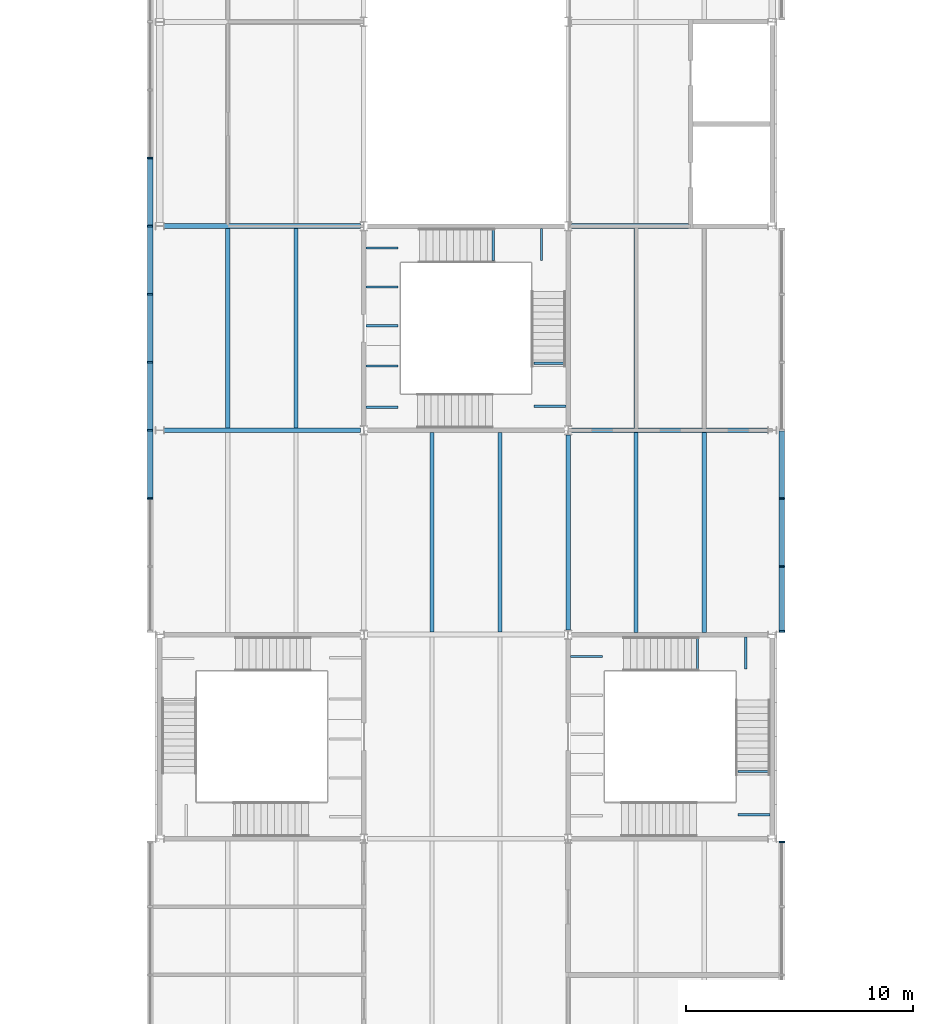
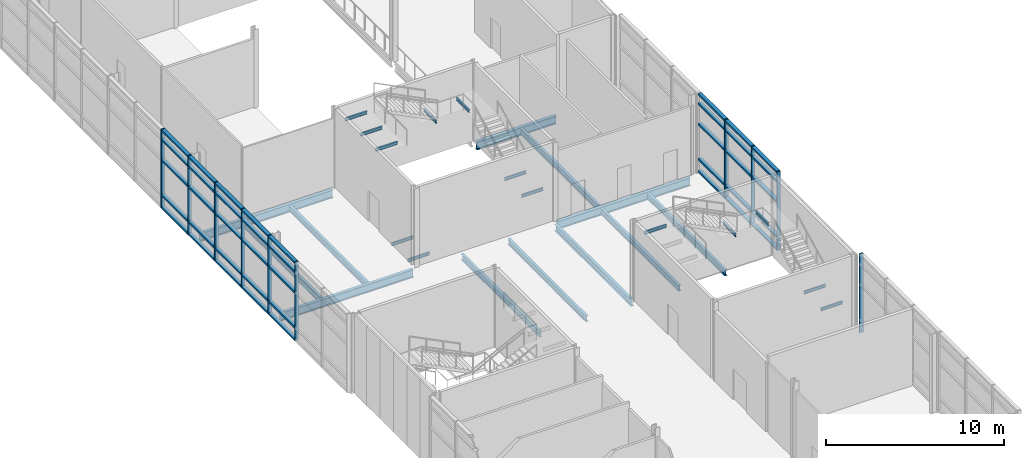
# One storey, part 10 of 56: 50 members, 26 beams, 3 elements without a shape of their own.
"""IFC4 building model written with IfcOpenShell, lengths in metres."""

import ifcopenshell
import ifcopenshell.guid

model = None  # the IFC model being written
_history = None  # IfcOwnerHistory: only IFC2X3 demands one
_inside = {}  # id of a spatial element -> (the spatial element, [elements in it])
_under = {}  # id of a project, library or spatial element -> (it, [spatial elements below it])
_declared = {}  # id of a project -> (the project, [libraries it declares])
_typed = {}  # id of a type object -> (the type object, [elements of that type])
_made_of = {}  # id of a material, layer set ... -> (it, [elements and type objects made of it])


def new_model(schema):
    """Start an empty IFC model of exactly this schema.

    Asked for "IFC4X3", IfcOpenShell would pick the latest addendum, in which some entities
    have other attributes; the version numbers below select the first issue.
    IFC2X3 requires an IfcOwnerHistory on every rooted entity: one is made here for all.
    """
    global model, _history
    if schema == "IFC4X3":
        model = ifcopenshell.file(schema_version=(4, 3, 0, 0))
    else:
        model = ifcopenshell.file(schema=schema)
    _inside.clear()
    _under.clear()
    _declared.clear()
    _typed.clear()
    _made_of.clear()
    _history = None
    if model.schema == "IFC2X3":
        org = make("IfcOrganization", Name="unknown")
        user = make(
            "IfcPersonAndOrganization",
            ThePerson=make("IfcPerson", FamilyName="unknown"),
            TheOrganization=org,
        )
        app = make(
            "IfcApplication",
            ApplicationDeveloper=org,
            Version="unknown",
            ApplicationFullName="unknown",
            ApplicationIdentifier="unknown",
        )
        _history = make(
            "IfcOwnerHistory",
            OwningUser=user,
            OwningApplication=app,
            ChangeAction="ADDED",
            CreationDate=0,
        )
    return model


def make(cls, **values):
    """One entity of the class cls with the attributes given. An attribute that is None is left unset."""
    return model.create_entity(
        cls, **{name: value for name, value in values.items() if value is not None}
    )


def rooted(cls, **values):
    """An entity with a GlobalId (a new one), such as an element, a storey or a relation."""
    return make(cls, GlobalId=ifcopenshell.guid.new(), OwnerHistory=_history, **values)


def si_unit(unit_type, name, prefix=None):
    """IfcSIUnit, for example si_unit("LENGTHUNIT", "METRE", prefix="MILLI")."""
    return make("IfcSIUnit", UnitType=unit_type, Prefix=prefix, Name=name)


def assignment(units):
    """IfcUnitAssignment: the units of a project."""
    return None if units is None else make("IfcUnitAssignment", Units=units)


def point(xyz):
    """IfcCartesianPoint."""
    return None if xyz is None else make("IfcCartesianPoint", Coordinates=xyz)


def direction(xyz):
    """IfcDirection."""
    return None if xyz is None else make("IfcDirection", DirectionRatios=xyz)


def frame(location, z_axis=None, x_axis=None):
    """IfcAxis2Placement3D, a coordinate frame: its origin and axes. An axis left out is left unset."""
    return make(
        "IfcAxis2Placement3D",
        Location=point(location),
        Axis=direction(z_axis),
        RefDirection=direction(x_axis),
    )


def frame_2d(location, x_axis=None):
    """IfcAxis2Placement2D, a coordinate frame in the plane: its origin and x axis."""
    return make(
        "IfcAxis2Placement2D", Location=point(location), RefDirection=direction(x_axis)
    )


def origin():
    """The frame at (0, 0, 0) with its axes left unset."""
    return frame((0.0, 0.0, 0.0))


def origin_2d():
    """The frame at (0, 0) in the plane with its x axis left unset."""
    return frame_2d((0.0, 0.0))


def place(relative_to, where):
    """IfcLocalPlacement: puts the frame where relative to a parent placement (None: the world)."""
    return make(
        "IfcLocalPlacement", PlacementRelTo=relative_to, RelativePlacement=where
    )


def context(
    kind, dimensions, precision=None, world=None, true_north=None, identifier=None
):
    """IfcGeometricRepresentationContext, for example the 3D "Model" context."""
    return make(
        "IfcGeometricRepresentationContext",
        ContextIdentifier=identifier,
        ContextType=kind,
        CoordinateSpaceDimension=dimensions,
        Precision=precision,
        WorldCoordinateSystem=world,
        TrueNorth=true_north,
    )


def subcontext(parent, identifier, kind, view, scale=None):
    """IfcGeometricRepresentationSubContext, for example "Body" below "Model"."""
    return make(
        "IfcGeometricRepresentationSubContext",
        ContextIdentifier=identifier,
        ContextType=kind,
        ParentContext=parent,
        TargetScale=scale,
        TargetView=view,
    )


def project(units=None, contexts=None):
    """IfcProject with its units and contexts."""
    return rooted(
        "IfcProject",
        Name="project",
        RepresentationContexts=contexts,
        UnitsInContext=assignment(units),
    )


def spatial(cls, under=None, at=None, **own):
    """A site, building, storey or space (cls), placed at a placement, below another one or the project."""
    s = rooted(cls, ObjectPlacement=at, **own)
    if under is not None:
        _under.setdefault(under.id(), (under, []))[1].append(s)
    return s


def profile(cls, at=None, kind="AREA", **sizes):
    """A parametric profile (cls). Its sizes go by their IFC names, for example OverallWidth=200.0."""
    return make(cls, ProfileType=kind, Position=at, **sizes)


def rectangle(**sizes):
    """IfcRectangleProfileDef."""
    return profile("IfcRectangleProfileDef", **sizes)


def i_section(**sizes):
    """IfcIShapeProfileDef."""
    return profile("IfcIShapeProfileDef", **sizes)


def extrude(swept, where, along, depth):
    """IfcExtrudedAreaSolid: the profile swept, set in the frame where, extruded along a direction by depth."""
    return make(
        "IfcExtrudedAreaSolid",
        SweptArea=swept,
        Position=where,
        ExtrudedDirection=direction(along),
        Depth=depth,
    )


def shape(context_of_items, identifier, shape_type, items):
    """IfcShapeRepresentation: the items that make up one representation, for example the "Body"."""
    return make(
        "IfcShapeRepresentation",
        ContextOfItems=context_of_items,
        RepresentationIdentifier=identifier,
        RepresentationType=shape_type,
        Items=items,
    )


def material(Name=None, Category=None):
    """IfcMaterial."""
    return make("IfcMaterial", Name=Name, Category=Category)


def material_profile(
    of_material, cross_section, Name=None, Category=None, Priority=None
):
    """IfcMaterialProfile: a cross section and its material."""
    return make(
        "IfcMaterialProfile",
        Name=Name,
        Material=of_material,
        Profile=cross_section,
        Priority=Priority,
        Category=Category,
    )


def profile_set(profiles, Name=None, composite=None):
    """IfcMaterialProfileSet."""
    return make(
        "IfcMaterialProfileSet",
        Name=Name,
        MaterialProfiles=profiles,
        CompositeProfile=composite,
    )


def made_of(thing, what):
    """Note that an element or type object is made of a material, layer set ...; save() writes the relation."""
    if what is not None:
        _made_of.setdefault(what.id(), (what, []))[1].append(thing)
    return thing


def type_object(cls, material=None, **own):
    """A type object (cls), such as IfcWallType, which elements share."""
    return made_of(rooted(cls, **own), material)


def element(
    cls,
    number,
    at=None,
    inside=None,
    cuts=None,
    type_object=None,
    material=None,
    context=None,
    identifier="Body",
    shape_type=None,
    held_by="IfcProductDefinitionShape",
    body=None,
    shapes=None,
    **own,
):
    """One element of the class cls, such as IfcWall. Its Tag is "e" and its number.

    at: its placement. inside: the storey or other place that contains it. cuts: it is an
    opening in that element (IfcRelVoidsElement). A single representation is given by context,
    identifier, shape_type and body (its items); several are given by shapes. held_by: the class
    of the entity that holds the representations. save() writes the other relations.
    """
    e = rooted(cls, Tag="e%d" % number, ObjectPlacement=at, **own)
    if body is not None:
        shapes = [shape(context, identifier, shape_type, body)]
    if shapes is not None:
        e.Representation = make(held_by, Representations=shapes)
    if inside is not None:
        _inside.setdefault(inside.id(), (inside, []))[1].append(e)
    if cuts is not None:
        rooted(
            "IfcRelVoidsElement", RelatingBuildingElement=cuts, RelatedOpeningElement=e
        )
    if type_object is not None:
        _typed.setdefault(type_object.id(), (type_object, []))[1].append(e)
    return made_of(e, material)


def aggregate(whole, parts):
    """IfcRelAggregates: a whole, such as a stair, and the parts it consists of."""
    return rooted("IfcRelAggregates", RelatingObject=whole, RelatedObjects=parts)


def save(model, path):
    """Write the relations noted so far, then the file.

    IfcRelAggregates (storeys below a building ...), IfcRelContainedInSpatialStructure (elements
    in a storey), IfcRelDefinesByType, IfcRelAssociatesMaterial and IfcRelDeclares: one each for
    every whole, place, type object, material and project.
    """
    for whole, parts in _under.values():
        aggregate(whole, parts)
    for where, things in _inside.values():
        rooted(
            "IfcRelContainedInSpatialStructure",
            RelatedElements=things,
            RelatingStructure=where,
        )
    for kind, things in _typed.values():
        rooted("IfcRelDefinesByType", RelatedObjects=things, RelatingType=kind)
    for what, things in _made_of.values():
        rooted("IfcRelAssociatesMaterial", RelatedObjects=things, RelatingMaterial=what)
    for by, libraries in _declared.values():
        rooted("IfcRelDeclares", RelatingContext=by, RelatedDefinitions=libraries)
    model.write(path)


model = new_model("IFC4")

# Units and contexts
model_context = context("Model", 3, precision=1e-05, world=origin(), true_north=direction((0.0, 1.0)))
body_context = subcontext(model_context, "Body", "Model", "MODEL_VIEW")
ifc_project = project(units=[si_unit("LENGTHUNIT", "METRE"), si_unit("AREAUNIT", "SQUARE_METRE"), si_unit("VOLUMEUNIT", "CUBIC_METRE"), si_unit("PLANEANGLEUNIT", "RADIAN"), si_unit("MASSUNIT", "GRAM", prefix="KILO")], contexts=[model_context])

# Site, building, storey
site_placement = place(None, origin())
site = spatial("IfcSite", under=ifc_project, at=site_placement, CompositionType="ELEMENT")
building_placement = place(site_placement, origin())
building = spatial("IfcBuilding", under=site, at=building_placement, Name="Azimuth Sports and Learning Centre", CompositionType="ELEMENT")
storey_placement = place(building_placement, frame((0.0, 0.0, 5.39990234375)))
storey = spatial("IfcBuildingStorey", under=building, at=storey_placement, Name="L01", CompositionType="ELEMENT", Elevation=5.39990234375)

# Beams
ifc_material_1 = material(Name="Steel S355", Category="steel")
ifc_material_profile_1 = material_profile(ifc_material_1, i_section(OverallWidth=0.10009765625, OverallDepth=0.199951171875, WebThickness=0.005615234375, FlangeThickness=0.008544921875, FilletRadius=0.011962890625, at=origin_2d()), Name="IPE 200")
ifc_profile_set_1 = profile_set([ifc_material_profile_1], Name="Steel S355")
beam_type_1 = type_object("IfcBeamType", Name="Beam IPE 200", PredefinedType="BEAM", material=ifc_profile_set_1)
for number, where, z_axis, x_axis, name in (
    (1, (98.89990234375, 28.06005859375, 1.5), (-1.0, 0.0, 0.0), (0.0, -1.0, 0.0), "Landing bracket ST4 L01 1102"),
    (2, (98.89990234375, 29.9599609375, 1.5), (-1.0, 0.0, 0.0), (0.0, -1.0, 0.0), "Landing bracket ST4 L01 1103"),
    (3, (95.702392578125, 35.89990234375, 3.300048828125), (0.0, -1.0, 0.0), (1.0, 0.0, 0.0), "Landing bracket ST4 L01 1104"),
    (4, (97.827392578125, 35.89990234375, 3.300048828125), (0.0, -1.0, 0.0), (1.0, 0.0, 0.0), "Landing bracket ST4 L01 1105"),
    (5, (90.10009765625, 35.033447265625, 5.10009765625), (1.0, 0.0, 0.0), (0.0, 1.0, 0.0), "Landing bracket ST4 L01 1108"),
    (6, (81.10009765625, 46.02001953125, -0.2998046875), (1.0, 0.0, 0.0), (0.0, 1.0, 0.0), "Landing bracket STC L01 1134"),
    (7, (81.10009765625, 47.840087890625, -0.2998046875), (1.0, 0.0, 0.0), (0.0, 1.0, 0.0), "Landing bracket STC L01 1135"),
    (8, (89.89990234375, 46.06005859375, 1.5), (-1.0, 0.0, 0.0), (0.0, -1.0, 0.0), "Landing bracket STC L01 1136"),
    (9, (89.89990234375, 47.9599609375, 1.5), (-1.0, 0.0, 0.0), (0.0, -1.0, 0.0), "Landing bracket STC L01 1137"),
    (10, (86.702392578125, 53.89990234375, 3.300048828125), (0.0, -1.0, 0.0), (1.0, 0.0, 0.0), "Landing bracket STC L01 1138"),
    (11, (88.827392578125, 53.89990234375, 3.300048828125), (0.0, -1.0, 0.0), (1.0, 0.0, 0.0), "Landing bracket STC L01 1139"),
    (12, (81.10009765625, 49.606689453125, 5.10009765625), (1.0, 0.0, 0.0), (0.0, 1.0, 0.0), "Landing bracket STC L01 1140"),
    (13, (81.10009765625, 51.320068359375, 5.10009765625), (1.0, 0.0, 0.0), (0.0, 1.0, 0.0), "Landing bracket STC L01 1141"),
    (14, (81.10009765625, 53.033447265625, 5.10009765625), (1.0, 0.0, 0.0), (0.0, 1.0, 0.0), "Landing bracket STC L01 1142"),
):
    element("IfcBeam", number, at=place(storey_placement, frame(where, z_axis=z_axis, x_axis=x_axis)), inside=storey, type_object=beam_type_1, Name=name, PredefinedType="BEAM", context=body_context, shape_type="SweptSolid", body=[
        extrude(i_section(OverallWidth=0.10009765625, OverallDepth=0.199951171875, WebThickness=0.005615234375, FlangeThickness=0.008544921875, FilletRadius=0.011962890625, at=origin_2d()), origin(), (0.0, 0.0, 1.0), 1.409912109375),
    ])
ifc_material_2 = material(Name="Steel S355", Category="steel")
ifc_material_profile_2 = material_profile(ifc_material_2, i_section(OverallWidth=0.18994140625, OverallDepth=0.449951171875, WebThickness=0.009521484375, FlangeThickness=0.0146484375, FilletRadius=0.02099609375, at=origin_2d()), Name="IPE 450")
ifc_profile_set_2 = profile_set([ifc_material_profile_2], Name="Steel S355")
beam_type_2 = type_object("IfcBeamType", Name="Beam IPE 450", PredefinedType="BEAM", material=ifc_profile_set_2)
beam_1_placement = place(storey_placement, frame((90.0, 36.199951171875, -0.375), z_axis=(0.0, 1.0, 0.0), x_axis=(-1.0, 0.0, 0.0)))
element("IfcBeam", 15, at=beam_1_placement, inside=storey, type_object=beam_type_2, Name="Beam L01 ST 32", PredefinedType="BEAM", context=body_context, shape_type="SweptSolid", body=[
    extrude(i_section(OverallWidth=0.18994140625, OverallDepth=0.449951171875, WebThickness=0.009521484375, FlangeThickness=0.0146484375, FilletRadius=0.02099609375, at=origin_2d()), origin(), (0.0, 0.0, 1.0), 8.60009765625),
])
ifc_material_3 = material(Name="Steel S355", Category="steel")
ifc_material_profile_3 = material_profile(ifc_material_3, i_section(OverallWidth=0.2099609375, OverallDepth=0.550048828125, WebThickness=0.010986328125, FlangeThickness=0.01708984375, FilletRadius=0.02392578125, at=origin_2d()), Name="IPE 550")
ifc_profile_set_3 = profile_set([ifc_material_profile_3], Name="Steel S355")
beam_type_3 = type_object("IfcBeamType", Name="Beam IPE 550", PredefinedType="BEAM", material=ifc_profile_set_3)
for number, where, z_axis, x_axis, name in (
    (16, (72.199951171875, 45.0, -0.4248046875), (1.0, 0.0, 0.0), (0.0, 1.0, 0.0), "Beam L01 ST 7"),
    (17, (90.14990234375, 45.0, -0.4248046875), (1.0, 0.0, 0.0), (0.0, 1.0, 0.0), "Beam L01 ST 8"),
    (18, (72.199951171875, 54.0, -0.4248046875), (1.0, 0.0, 0.0), (0.0, 1.0, 0.0), "Beam L01 ST 9"),
):
    element("IfcBeam", number, at=place(storey_placement, frame(where, z_axis=z_axis, x_axis=x_axis)), inside=storey, type_object=beam_type_3, Name=name, PredefinedType="BEAM", context=body_context, shape_type="SweptSolid", body=[
        extrude(i_section(OverallWidth=0.2099609375, OverallDepth=0.550048828125, WebThickness=0.010986328125, FlangeThickness=0.01708984375, FilletRadius=0.02392578125, at=origin_2d()), origin(), (0.0, 0.0, 1.0), 8.650146484375),
    ])
beam_2_placement = place(storey_placement, frame((90.14990234375, 54.0, -0.4248046875), z_axis=(1.0, 0.0, 0.0), x_axis=(0.0, 1.0, 0.0)))
element("IfcBeam", 19, at=beam_2_placement, inside=storey, type_object=beam_type_3, Name="Beam L01 ST 10", PredefinedType="BEAM", context=body_context, shape_type="SweptSolid", body=[
    extrude(i_section(OverallWidth=0.2099609375, OverallDepth=0.550048828125, WebThickness=0.010986328125, FlangeThickness=0.01708984375, FilletRadius=0.02392578125, at=origin_2d()), origin(), (0.0, 0.0, 1.0), 5.150146484375),
])
ifc_material_4 = material(Name="Steel S355", Category="steel")
ifc_material_profile_4 = material_profile(ifc_material_4, i_section(OverallWidth=0.179931640625, OverallDepth=0.39990234375, WebThickness=0.008544921875, FlangeThickness=0.013427734375, FilletRadius=0.02099609375, at=origin_2d()), Name="IPE 400")
ifc_profile_set_4 = profile_set([ifc_material_profile_4], Name="Steel S355")
beam_type_4 = type_object("IfcBeamType", Name="Joist IPE 400", PredefinedType="JOIST", material=ifc_profile_set_4)
for number, where, z_axis, x_axis, name in (
    (20, (75.0, 45.10498046875, -0.349853515625), (0.0, 1.0, 0.0), (-1.0, 0.0, 0.0), "Joist L01 ST 42"),
    (21, (78.0, 45.10498046875, -0.349853515625), (0.0, 1.0, 0.0), (-1.0, 0.0, 0.0), "Joist L01 ST 50"),
):
    element("IfcBeam", number, at=place(storey_placement, frame(where, z_axis=z_axis, x_axis=x_axis)), inside=storey, type_object=beam_type_4, Name=name, PredefinedType="JOIST", context=body_context, shape_type="SweptSolid", body=[
        extrude(i_section(OverallWidth=0.179931640625, OverallDepth=0.39990234375, WebThickness=0.008544921875, FlangeThickness=0.013427734375, FilletRadius=0.02099609375, at=origin_2d()), origin(), (0.0, 0.0, 1.0), 8.7900390625),
    ])
for number, where, z_axis, x_axis, name in (
    (22, (84.0, 36.10498046875, -0.349853515625), (0.0, 1.0, 0.0), (-1.0, 0.0, 0.0), "Joist L01 ST 59"),
    (23, (87.0, 36.10498046875, -0.349853515625), (0.0, 1.0, 0.0), (-1.0, 0.0, 0.0), "Joist L01 ST 65"),
    (24, (93.0, 36.10009765625, -0.349853515625), (0.0, 1.0, 0.0), (-1.0, 0.0, 0.0), "Joist L01 ST 69"),
):
    element("IfcBeam", number, at=place(storey_placement, frame(where, z_axis=z_axis, x_axis=x_axis)), inside=storey, type_object=beam_type_4, Name=name, PredefinedType="JOIST", context=body_context, shape_type="SweptSolid", body=[
        extrude(i_section(OverallWidth=0.179931640625, OverallDepth=0.39990234375, WebThickness=0.008544921875, FlangeThickness=0.013427734375, FilletRadius=0.02099609375, at=origin_2d()), origin(), (0.0, 0.0, 1.0), 8.794921875),
    ])
beam_3_placement = place(storey_placement, frame((93.0, 45.10498046875, -0.349853515625), z_axis=(0.0, 1.0, 0.0), x_axis=(-1.0, 0.0, 0.0)))
element("IfcBeam", 25, at=beam_3_placement, inside=storey, type_object=beam_type_4, Name="Joist L01 ST 70", PredefinedType="JOIST", context=body_context, shape_type="SweptSolid", body=[
    extrude(i_section(OverallWidth=0.179931640625, OverallDepth=0.39990234375, WebThickness=0.008544921875, FlangeThickness=0.013427734375, FilletRadius=0.02099609375, at=origin_2d()), origin(), (0.0, 0.0, 1.0), 8.7900390625),
])
beam_4_placement = place(storey_placement, frame((96.0, 36.10009765625, -0.349853515625), z_axis=(0.0, 1.0, 0.0), x_axis=(-1.0, 0.0, 0.0)))
element("IfcBeam", 26, at=beam_4_placement, inside=storey, type_object=beam_type_4, Name="Joist L01 ST 77", PredefinedType="JOIST", context=body_context, shape_type="SweptSolid", body=[
    extrude(i_section(OverallWidth=0.179931640625, OverallDepth=0.39990234375, WebThickness=0.008544921875, FlangeThickness=0.013427734375, FilletRadius=0.02099609375, at=origin_2d()), origin(), (0.0, 0.0, 1.0), 8.794921875),
])

# Curtain wall, members
ifc_material_5 = material(Name="Aluminium and glass", Category="aluminium")
curtain_wall_type = type_object("IfcCurtainWallType", Name="Curtain wall podium stem 240", PredefinedType="NOTDEFINED", material=ifc_material_5)
curtain_wall_1_placement = place(storey_placement, origin())
curtain_wall_1 = element("IfcCurtainWall", 27, at=curtain_wall_1_placement, inside=storey, type_object=curtain_wall_type, Name="Curtain wall CW01-003", PredefinedType="NOTDEFINED")
ifc_material_6 = material(Name="Aluminium", Category="aluminium")
ifc_material_profile_5 = material_profile(ifc_material_6, rectangle(XDim=0.239990234375, YDim=0.080078125, at=origin_2d()), Name="Mullion 80x240")
ifc_profile_set_5 = profile_set([ifc_material_profile_5], Name="Aluminium")
member_type_1 = type_object("IfcMemberType", Name="Mullion 80x240", PredefinedType="MULLION", material=ifc_profile_set_5)
member_1_placement = place(storey_placement, frame((71.580078125, 57.0, 0.0), z_axis=(0.0, 0.0, 1.0), x_axis=(1.0, 0.0, 0.0)))
member_1 = element("IfcMember", 28, at=member_1_placement, type_object=member_type_1, Name="CW01-003 mullion 12", PredefinedType="MULLION", context=body_context, shape_type="SweptSolid", body=[
    extrude(rectangle(XDim=0.239990234375, YDim=0.080078125, at=origin_2d()), origin(), (0.0, 0.0, 1.0), 5.400146484375),
])
member_2_placement = place(storey_placement, frame((71.580078125, 54.0, 0.0), z_axis=(0.0, 0.0, 1.0), x_axis=(1.0, 0.0, 0.0)))
member_2 = element("IfcMember", 29, at=member_2_placement, type_object=member_type_1, Name="CW01-003 mullion 13", PredefinedType="MULLION", context=body_context, shape_type="SweptSolid", body=[
    extrude(rectangle(XDim=0.239990234375, YDim=0.080078125, at=origin_2d()), origin(), (0.0, 0.0, 1.0), 5.400146484375),
])
member_3_placement = place(storey_placement, frame((71.580078125, 51.0, 0.0), z_axis=(0.0, 0.0, 1.0), x_axis=(1.0, 0.0, 0.0)))
member_3 = element("IfcMember", 30, at=member_3_placement, type_object=member_type_1, Name="CW01-003 mullion 14", PredefinedType="MULLION", context=body_context, shape_type="SweptSolid", body=[
    extrude(rectangle(XDim=0.239990234375, YDim=0.080078125, at=origin_2d()), origin(), (0.0, 0.0, 1.0), 5.400146484375),
])
member_4_placement = place(storey_placement, frame((71.580078125, 48.0, 0.0), z_axis=(0.0, 0.0, 1.0), x_axis=(1.0, 0.0, 0.0)))
member_4 = element("IfcMember", 31, at=member_4_placement, type_object=member_type_1, Name="CW01-003 mullion 15", PredefinedType="MULLION", context=body_context, shape_type="SweptSolid", body=[
    extrude(rectangle(XDim=0.239990234375, YDim=0.080078125, at=origin_2d()), origin(), (0.0, 0.0, 1.0), 5.400146484375),
])
member_5_placement = place(storey_placement, frame((71.580078125, 45.0, 0.0), z_axis=(0.0, 0.0, 1.0), x_axis=(1.0, 0.0, 0.0)))
member_5 = element("IfcMember", 32, at=member_5_placement, type_object=member_type_1, Name="CW01-003 mullion 16", PredefinedType="MULLION", context=body_context, shape_type="SweptSolid", body=[
    extrude(rectangle(XDim=0.239990234375, YDim=0.080078125, at=origin_2d()), origin(), (0.0, 0.0, 1.0), 5.400146484375),
])
member_6_placement = place(storey_placement, frame((71.580078125, 42.0, 0.0), z_axis=(0.0, 0.0, 1.0), x_axis=(1.0, 0.0, 0.0)))
member_6 = element("IfcMember", 33, at=member_6_placement, type_object=member_type_1, Name="CW01-003 mullion 17", PredefinedType="MULLION", context=body_context, shape_type="SweptSolid", body=[
    extrude(rectangle(XDim=0.239990234375, YDim=0.080078125, at=origin_2d()), origin(), (0.0, 0.0, 1.0), 5.400146484375),
])

# Curtain wall, member
curtain_wall_2_placement = place(storey_placement, origin())
curtain_wall_2 = element("IfcCurtainWall", 34, at=curtain_wall_2_placement, inside=storey, type_object=curtain_wall_type, Name="Curtain wall CW01-006", PredefinedType="NOTDEFINED")
member_7_placement = place(storey_placement, frame((99.419921875, 26.860107421875, 0.0), z_axis=(0.0, 0.0, 1.0), x_axis=(-1.0, 0.0, 0.0)))
member_7 = element("IfcMember", 35, at=member_7_placement, type_object=member_type_1, Name="CW01-006 mullion 7", PredefinedType="MULLION", context=body_context, shape_type="SweptSolid", body=[
    extrude(rectangle(XDim=0.239990234375, YDim=0.080078125, at=origin_2d()), origin(), (0.0, 0.0, 1.0), 5.400146484375),
])
aggregate(curtain_wall_2, [member_7])

# Curtain wall, members
curtain_wall_3_placement = place(storey_placement, origin())
curtain_wall_3 = element("IfcCurtainWall", 36, at=curtain_wall_3_placement, inside=storey, type_object=curtain_wall_type, Name="Curtain wall CW01-007", PredefinedType="NOTDEFINED")
member_8_placement = place(storey_placement, frame((99.419921875, 36.139892578125, 0.0), z_axis=(0.0, 0.0, 1.0), x_axis=(-1.0, 0.0, 0.0)))
member_8 = element("IfcMember", 37, at=member_8_placement, type_object=member_type_1, Name="CW01-007 mullion 1", PredefinedType="MULLION", context=body_context, shape_type="SweptSolid", body=[
    extrude(rectangle(XDim=0.239990234375, YDim=0.080078125, at=origin_2d()), origin(), (0.0, 0.0, 1.0), 5.400146484375),
])
member_9_placement = place(storey_placement, frame((99.419921875, 39.0, 0.0), z_axis=(0.0, 0.0, 1.0), x_axis=(-1.0, 0.0, 0.0)))
member_9 = element("IfcMember", 38, at=member_9_placement, type_object=member_type_1, Name="CW01-007 mullion 2", PredefinedType="MULLION", context=body_context, shape_type="SweptSolid", body=[
    extrude(rectangle(XDim=0.239990234375, YDim=0.080078125, at=origin_2d()), origin(), (0.0, 0.0, 1.0), 5.400146484375),
])
member_10_placement = place(storey_placement, frame((99.419921875, 42.0, 0.0), z_axis=(0.0, 0.0, 1.0), x_axis=(-1.0, 0.0, 0.0)))
member_10 = element("IfcMember", 39, at=member_10_placement, type_object=member_type_1, Name="CW01-007 mullion 3", PredefinedType="MULLION", context=body_context, shape_type="SweptSolid", body=[
    extrude(rectangle(XDim=0.239990234375, YDim=0.080078125, at=origin_2d()), origin(), (0.0, 0.0, 1.0), 5.400146484375),
])

# Member
ifc_material_7 = material(Name="Aluminium", Category="aluminium")
ifc_material_profile_6 = material_profile(ifc_material_7, rectangle(XDim=0.239990234375, YDim=0.1201171875, at=origin_2d()), Name="Transom 120x240")
ifc_profile_set_6 = profile_set([ifc_material_profile_6], Name="Aluminium")
member_type_2 = type_object("IfcMemberType", Name="Transom 120x240", PredefinedType="USERDEFINED", material=ifc_profile_set_6)
member_11_placement = place(storey_placement, frame((71.580078125, 56.9599609375, 0.06005859375), z_axis=(0.0, -1.0, 0.0), x_axis=(1.0, 0.0, 0.0)))
member_11 = element("IfcMember", 40, at=member_11_placement, type_object=member_type_2, Name="CW01-003 transom 12.1", ObjectType="TRANSOM", PredefinedType="USERDEFINED", context=body_context, shape_type="SweptSolid", body=[
    extrude(rectangle(XDim=0.239990234375, YDim=0.1201171875, at=origin_2d()), origin(), (0.0, 0.0, 1.0), 2.919921875),
])

member_12_placement = place(storey_placement, frame((71.580078125, 56.9599609375, 0.900146484375), z_axis=(0.0, -1.0, 0.0), x_axis=(1.0, 0.0, 0.0)))
member_12 = element("IfcMember", 41, at=member_12_placement, type_object=member_type_2, Name="CW01-003 transom 12.2", ObjectType="TRANSOM", PredefinedType="USERDEFINED", context=body_context, shape_type="SweptSolid", body=[
    extrude(rectangle(XDim=0.239990234375, YDim=0.1201171875, at=origin_2d()), origin(), (0.0, 0.0, 1.0), 2.919921875),
])

member_13_placement = place(storey_placement, frame((71.580078125, 56.9599609375, 3.300048828125), z_axis=(0.0, -1.0, 0.0), x_axis=(1.0, 0.0, 0.0)))
member_13 = element("IfcMember", 42, at=member_13_placement, type_object=member_type_2, Name="CW01-003 transom 12.3", ObjectType="TRANSOM", PredefinedType="USERDEFINED", context=body_context, shape_type="SweptSolid", body=[
    extrude(rectangle(XDim=0.239990234375, YDim=0.1201171875, at=origin_2d()), origin(), (0.0, 0.0, 1.0), 2.919921875),
])

member_14_placement = place(storey_placement, frame((71.580078125, 56.9599609375, 4.7001953125), z_axis=(0.0, -1.0, 0.0), x_axis=(1.0, 0.0, 0.0)))
member_14 = element("IfcMember", 43, at=member_14_placement, type_object=member_type_2, Name="CW01-003 transom 12.4", ObjectType="TRANSOM", PredefinedType="USERDEFINED", context=body_context, shape_type="SweptSolid", body=[
    extrude(rectangle(XDim=0.239990234375, YDim=0.1201171875, at=origin_2d()), origin(), (0.0, 0.0, 1.0), 2.919921875),
])

member_15_placement = place(storey_placement, frame((71.580078125, 56.9599609375, 5.340087890625), z_axis=(0.0, -1.0, 0.0), x_axis=(1.0, 0.0, 0.0)))
member_15 = element("IfcMember", 44, at=member_15_placement, type_object=member_type_2, Name="CW01-003 transom 12.5", ObjectType="TRANSOM", PredefinedType="USERDEFINED", context=body_context, shape_type="SweptSolid", body=[
    extrude(rectangle(XDim=0.239990234375, YDim=0.1201171875, at=origin_2d()), origin(), (0.0, 0.0, 1.0), 2.919921875),
])

member_16_placement = place(storey_placement, frame((71.580078125, 53.9599609375, 0.06005859375), z_axis=(0.0, -1.0, 0.0), x_axis=(1.0, 0.0, 0.0)))
member_16 = element("IfcMember", 45, at=member_16_placement, type_object=member_type_2, Name="CW01-003 transom 13.1", ObjectType="TRANSOM", PredefinedType="USERDEFINED", context=body_context, shape_type="SweptSolid", body=[
    extrude(rectangle(XDim=0.239990234375, YDim=0.1201171875, at=origin_2d()), origin(), (0.0, 0.0, 1.0), 2.919921875),
])

member_17_placement = place(storey_placement, frame((71.580078125, 53.9599609375, 0.900146484375), z_axis=(0.0, -1.0, 0.0), x_axis=(1.0, 0.0, 0.0)))
member_17 = element("IfcMember", 46, at=member_17_placement, type_object=member_type_2, Name="CW01-003 transom 13.2", ObjectType="TRANSOM", PredefinedType="USERDEFINED", context=body_context, shape_type="SweptSolid", body=[
    extrude(rectangle(XDim=0.239990234375, YDim=0.1201171875, at=origin_2d()), origin(), (0.0, 0.0, 1.0), 2.919921875),
])

member_18_placement = place(storey_placement, frame((71.580078125, 53.9599609375, 3.300048828125), z_axis=(0.0, -1.0, 0.0), x_axis=(1.0, 0.0, 0.0)))
member_18 = element("IfcMember", 47, at=member_18_placement, type_object=member_type_2, Name="CW01-003 transom 13.3", ObjectType="TRANSOM", PredefinedType="USERDEFINED", context=body_context, shape_type="SweptSolid", body=[
    extrude(rectangle(XDim=0.239990234375, YDim=0.1201171875, at=origin_2d()), origin(), (0.0, 0.0, 1.0), 2.919921875),
])

member_19_placement = place(storey_placement, frame((71.580078125, 53.9599609375, 4.7001953125), z_axis=(0.0, -1.0, 0.0), x_axis=(1.0, 0.0, 0.0)))
member_19 = element("IfcMember", 48, at=member_19_placement, type_object=member_type_2, Name="CW01-003 transom 13.4", ObjectType="TRANSOM", PredefinedType="USERDEFINED", context=body_context, shape_type="SweptSolid", body=[
    extrude(rectangle(XDim=0.239990234375, YDim=0.1201171875, at=origin_2d()), origin(), (0.0, 0.0, 1.0), 2.919921875),
])

member_20_placement = place(storey_placement, frame((71.580078125, 53.9599609375, 5.340087890625), z_axis=(0.0, -1.0, 0.0), x_axis=(1.0, 0.0, 0.0)))
member_20 = element("IfcMember", 49, at=member_20_placement, type_object=member_type_2, Name="CW01-003 transom 13.5", ObjectType="TRANSOM", PredefinedType="USERDEFINED", context=body_context, shape_type="SweptSolid", body=[
    extrude(rectangle(XDim=0.239990234375, YDim=0.1201171875, at=origin_2d()), origin(), (0.0, 0.0, 1.0), 2.919921875),
])

member_21_placement = place(storey_placement, frame((71.580078125, 50.9599609375, 0.06005859375), z_axis=(0.0, -1.0, 0.0), x_axis=(1.0, 0.0, 0.0)))
member_21 = element("IfcMember", 50, at=member_21_placement, type_object=member_type_2, Name="CW01-003 transom 14.1", ObjectType="TRANSOM", PredefinedType="USERDEFINED", context=body_context, shape_type="SweptSolid", body=[
    extrude(rectangle(XDim=0.239990234375, YDim=0.1201171875, at=origin_2d()), origin(), (0.0, 0.0, 1.0), 2.919921875),
])

member_22_placement = place(storey_placement, frame((71.580078125, 50.9599609375, 0.900146484375), z_axis=(0.0, -1.0, 0.0), x_axis=(1.0, 0.0, 0.0)))
member_22 = element("IfcMember", 51, at=member_22_placement, type_object=member_type_2, Name="CW01-003 transom 14.2", ObjectType="TRANSOM", PredefinedType="USERDEFINED", context=body_context, shape_type="SweptSolid", body=[
    extrude(rectangle(XDim=0.239990234375, YDim=0.1201171875, at=origin_2d()), origin(), (0.0, 0.0, 1.0), 2.919921875),
])

member_23_placement = place(storey_placement, frame((71.580078125, 50.9599609375, 3.300048828125), z_axis=(0.0, -1.0, 0.0), x_axis=(1.0, 0.0, 0.0)))
member_23 = element("IfcMember", 52, at=member_23_placement, type_object=member_type_2, Name="CW01-003 transom 14.3", ObjectType="TRANSOM", PredefinedType="USERDEFINED", context=body_context, shape_type="SweptSolid", body=[
    extrude(rectangle(XDim=0.239990234375, YDim=0.1201171875, at=origin_2d()), origin(), (0.0, 0.0, 1.0), 2.919921875),
])

member_24_placement = place(storey_placement, frame((71.580078125, 50.9599609375, 4.7001953125), z_axis=(0.0, -1.0, 0.0), x_axis=(1.0, 0.0, 0.0)))
member_24 = element("IfcMember", 53, at=member_24_placement, type_object=member_type_2, Name="CW01-003 transom 14.4", ObjectType="TRANSOM", PredefinedType="USERDEFINED", context=body_context, shape_type="SweptSolid", body=[
    extrude(rectangle(XDim=0.239990234375, YDim=0.1201171875, at=origin_2d()), origin(), (0.0, 0.0, 1.0), 2.919921875),
])

member_25_placement = place(storey_placement, frame((71.580078125, 50.9599609375, 5.340087890625), z_axis=(0.0, -1.0, 0.0), x_axis=(1.0, 0.0, 0.0)))
member_25 = element("IfcMember", 54, at=member_25_placement, type_object=member_type_2, Name="CW01-003 transom 14.5", ObjectType="TRANSOM", PredefinedType="USERDEFINED", context=body_context, shape_type="SweptSolid", body=[
    extrude(rectangle(XDim=0.239990234375, YDim=0.1201171875, at=origin_2d()), origin(), (0.0, 0.0, 1.0), 2.919921875),
])

member_26_placement = place(storey_placement, frame((71.580078125, 47.9599609375, 0.06005859375), z_axis=(0.0, -1.0, 0.0), x_axis=(1.0, 0.0, 0.0)))
member_26 = element("IfcMember", 55, at=member_26_placement, type_object=member_type_2, Name="CW01-003 transom 15.1", ObjectType="TRANSOM", PredefinedType="USERDEFINED", context=body_context, shape_type="SweptSolid", body=[
    extrude(rectangle(XDim=0.239990234375, YDim=0.1201171875, at=origin_2d()), origin(), (0.0, 0.0, 1.0), 2.919921875),
])

member_27_placement = place(storey_placement, frame((71.580078125, 47.9599609375, 0.900146484375), z_axis=(0.0, -1.0, 0.0), x_axis=(1.0, 0.0, 0.0)))
member_27 = element("IfcMember", 56, at=member_27_placement, type_object=member_type_2, Name="CW01-003 transom 15.2", ObjectType="TRANSOM", PredefinedType="USERDEFINED", context=body_context, shape_type="SweptSolid", body=[
    extrude(rectangle(XDim=0.239990234375, YDim=0.1201171875, at=origin_2d()), origin(), (0.0, 0.0, 1.0), 2.919921875),
])

member_28_placement = place(storey_placement, frame((71.580078125, 47.9599609375, 3.300048828125), z_axis=(0.0, -1.0, 0.0), x_axis=(1.0, 0.0, 0.0)))
member_28 = element("IfcMember", 57, at=member_28_placement, type_object=member_type_2, Name="CW01-003 transom 15.3", ObjectType="TRANSOM", PredefinedType="USERDEFINED", context=body_context, shape_type="SweptSolid", body=[
    extrude(rectangle(XDim=0.239990234375, YDim=0.1201171875, at=origin_2d()), origin(), (0.0, 0.0, 1.0), 2.919921875),
])

member_29_placement = place(storey_placement, frame((71.580078125, 47.9599609375, 4.7001953125), z_axis=(0.0, -1.0, 0.0), x_axis=(1.0, 0.0, 0.0)))
member_29 = element("IfcMember", 58, at=member_29_placement, type_object=member_type_2, Name="CW01-003 transom 15.4", ObjectType="TRANSOM", PredefinedType="USERDEFINED", context=body_context, shape_type="SweptSolid", body=[
    extrude(rectangle(XDim=0.239990234375, YDim=0.1201171875, at=origin_2d()), origin(), (0.0, 0.0, 1.0), 2.919921875),
])

member_30_placement = place(storey_placement, frame((71.580078125, 47.9599609375, 5.340087890625), z_axis=(0.0, -1.0, 0.0), x_axis=(1.0, 0.0, 0.0)))
member_30 = element("IfcMember", 59, at=member_30_placement, type_object=member_type_2, Name="CW01-003 transom 15.5", ObjectType="TRANSOM", PredefinedType="USERDEFINED", context=body_context, shape_type="SweptSolid", body=[
    extrude(rectangle(XDim=0.239990234375, YDim=0.1201171875, at=origin_2d()), origin(), (0.0, 0.0, 1.0), 2.919921875),
])

member_31_placement = place(storey_placement, frame((71.580078125, 44.9599609375, 0.06005859375), z_axis=(0.0, -1.0, 0.0), x_axis=(1.0, 0.0, 0.0)))
member_31 = element("IfcMember", 60, at=member_31_placement, type_object=member_type_2, Name="CW01-003 transom 16.1", ObjectType="TRANSOM", PredefinedType="USERDEFINED", context=body_context, shape_type="SweptSolid", body=[
    extrude(rectangle(XDim=0.239990234375, YDim=0.1201171875, at=origin_2d()), origin(), (0.0, 0.0, 1.0), 2.919921875),
])

member_32_placement = place(storey_placement, frame((71.580078125, 44.9599609375, 0.900146484375), z_axis=(0.0, -1.0, 0.0), x_axis=(1.0, 0.0, 0.0)))
member_32 = element("IfcMember", 61, at=member_32_placement, type_object=member_type_2, Name="CW01-003 transom 16.2", ObjectType="TRANSOM", PredefinedType="USERDEFINED", context=body_context, shape_type="SweptSolid", body=[
    extrude(rectangle(XDim=0.239990234375, YDim=0.1201171875, at=origin_2d()), origin(), (0.0, 0.0, 1.0), 2.919921875),
])

member_33_placement = place(storey_placement, frame((71.580078125, 44.9599609375, 3.300048828125), z_axis=(0.0, -1.0, 0.0), x_axis=(1.0, 0.0, 0.0)))
member_33 = element("IfcMember", 62, at=member_33_placement, type_object=member_type_2, Name="CW01-003 transom 16.3", ObjectType="TRANSOM", PredefinedType="USERDEFINED", context=body_context, shape_type="SweptSolid", body=[
    extrude(rectangle(XDim=0.239990234375, YDim=0.1201171875, at=origin_2d()), origin(), (0.0, 0.0, 1.0), 2.919921875),
])

member_34_placement = place(storey_placement, frame((71.580078125, 44.9599609375, 4.7001953125), z_axis=(0.0, -1.0, 0.0), x_axis=(1.0, 0.0, 0.0)))
member_34 = element("IfcMember", 63, at=member_34_placement, type_object=member_type_2, Name="CW01-003 transom 16.4", ObjectType="TRANSOM", PredefinedType="USERDEFINED", context=body_context, shape_type="SweptSolid", body=[
    extrude(rectangle(XDim=0.239990234375, YDim=0.1201171875, at=origin_2d()), origin(), (0.0, 0.0, 1.0), 2.919921875),
])

member_35_placement = place(storey_placement, frame((71.580078125, 44.9599609375, 5.340087890625), z_axis=(0.0, -1.0, 0.0), x_axis=(1.0, 0.0, 0.0)))
member_35 = element("IfcMember", 64, at=member_35_placement, type_object=member_type_2, Name="CW01-003 transom 16.5", ObjectType="TRANSOM", PredefinedType="USERDEFINED", context=body_context, shape_type="SweptSolid", body=[
    extrude(rectangle(XDim=0.239990234375, YDim=0.1201171875, at=origin_2d()), origin(), (0.0, 0.0, 1.0), 2.919921875),
])

aggregate(curtain_wall_1, [member_1, member_2, member_3, member_4, member_5, member_6, member_11, member_12, member_13, member_14, member_15, member_16, member_17, member_18, member_19, member_20, member_21, member_22, member_23, member_24, member_25, member_26, member_27, member_28, member_29, member_30, member_31, member_32, member_33, member_34, member_35])

member_36_placement = place(storey_placement, frame((99.419921875, 36.179931640625, 0.06005859375), z_axis=(0.0, 1.0, 0.0), x_axis=(-1.0, 0.0, 0.0)))
member_36 = element("IfcMember", 65, at=member_36_placement, type_object=member_type_2, Name="CW01-007 transom 1.1", ObjectType="TRANSOM", PredefinedType="USERDEFINED", context=body_context, shape_type="SweptSolid", body=[
    extrude(rectangle(XDim=0.239990234375, YDim=0.1201171875, at=origin_2d()), origin(), (0.0, 0.0, 1.0), 2.780029296875),
])

member_37_placement = place(storey_placement, frame((99.419921875, 36.179931640625, 0.900146484375), z_axis=(0.0, 1.0, 0.0), x_axis=(-1.0, 0.0, 0.0)))
member_37 = element("IfcMember", 66, at=member_37_placement, type_object=member_type_2, Name="CW01-007 transom 1.2", ObjectType="TRANSOM", PredefinedType="USERDEFINED", context=body_context, shape_type="SweptSolid", body=[
    extrude(rectangle(XDim=0.239990234375, YDim=0.1201171875, at=origin_2d()), origin(), (0.0, 0.0, 1.0), 2.780029296875),
])

member_38_placement = place(storey_placement, frame((99.419921875, 36.179931640625, 3.300048828125), z_axis=(0.0, 1.0, 0.0), x_axis=(-1.0, 0.0, 0.0)))
member_38 = element("IfcMember", 67, at=member_38_placement, type_object=member_type_2, Name="CW01-007 transom 1.3", ObjectType="TRANSOM", PredefinedType="USERDEFINED", context=body_context, shape_type="SweptSolid", body=[
    extrude(rectangle(XDim=0.239990234375, YDim=0.1201171875, at=origin_2d()), origin(), (0.0, 0.0, 1.0), 2.780029296875),
])

member_39_placement = place(storey_placement, frame((99.419921875, 36.179931640625, 4.7001953125), z_axis=(0.0, 1.0, 0.0), x_axis=(-1.0, 0.0, 0.0)))
member_39 = element("IfcMember", 68, at=member_39_placement, type_object=member_type_2, Name="CW01-007 transom 1.4", ObjectType="TRANSOM", PredefinedType="USERDEFINED", context=body_context, shape_type="SweptSolid", body=[
    extrude(rectangle(XDim=0.239990234375, YDim=0.1201171875, at=origin_2d()), origin(), (0.0, 0.0, 1.0), 2.780029296875),
])

member_40_placement = place(storey_placement, frame((99.419921875, 36.179931640625, 5.340087890625), z_axis=(0.0, 1.0, 0.0), x_axis=(-1.0, 0.0, 0.0)))
member_40 = element("IfcMember", 69, at=member_40_placement, type_object=member_type_2, Name="CW01-007 transom 1.5", ObjectType="TRANSOM", PredefinedType="USERDEFINED", context=body_context, shape_type="SweptSolid", body=[
    extrude(rectangle(XDim=0.239990234375, YDim=0.1201171875, at=origin_2d()), origin(), (0.0, 0.0, 1.0), 2.780029296875),
])

member_41_placement = place(storey_placement, frame((99.419921875, 39.0400390625, 0.06005859375), z_axis=(0.0, 1.0, 0.0), x_axis=(-1.0, 0.0, 0.0)))
member_41 = element("IfcMember", 70, at=member_41_placement, type_object=member_type_2, Name="CW01-007 transom 2.1", ObjectType="TRANSOM", PredefinedType="USERDEFINED", context=body_context, shape_type="SweptSolid", body=[
    extrude(rectangle(XDim=0.239990234375, YDim=0.1201171875, at=origin_2d()), origin(), (0.0, 0.0, 1.0), 2.919921875),
])

member_42_placement = place(storey_placement, frame((99.419921875, 39.0400390625, 0.900146484375), z_axis=(0.0, 1.0, 0.0), x_axis=(-1.0, 0.0, 0.0)))
member_42 = element("IfcMember", 71, at=member_42_placement, type_object=member_type_2, Name="CW01-007 transom 2.2", ObjectType="TRANSOM", PredefinedType="USERDEFINED", context=body_context, shape_type="SweptSolid", body=[
    extrude(rectangle(XDim=0.239990234375, YDim=0.1201171875, at=origin_2d()), origin(), (0.0, 0.0, 1.0), 2.919921875),
])

member_43_placement = place(storey_placement, frame((99.419921875, 39.0400390625, 3.300048828125), z_axis=(0.0, 1.0, 0.0), x_axis=(-1.0, 0.0, 0.0)))
member_43 = element("IfcMember", 72, at=member_43_placement, type_object=member_type_2, Name="CW01-007 transom 2.3", ObjectType="TRANSOM", PredefinedType="USERDEFINED", context=body_context, shape_type="SweptSolid", body=[
    extrude(rectangle(XDim=0.239990234375, YDim=0.1201171875, at=origin_2d()), origin(), (0.0, 0.0, 1.0), 2.919921875),
])

member_44_placement = place(storey_placement, frame((99.419921875, 39.0400390625, 4.7001953125), z_axis=(0.0, 1.0, 0.0), x_axis=(-1.0, 0.0, 0.0)))
member_44 = element("IfcMember", 73, at=member_44_placement, type_object=member_type_2, Name="CW01-007 transom 2.4", ObjectType="TRANSOM", PredefinedType="USERDEFINED", context=body_context, shape_type="SweptSolid", body=[
    extrude(rectangle(XDim=0.239990234375, YDim=0.1201171875, at=origin_2d()), origin(), (0.0, 0.0, 1.0), 2.919921875),
])

member_45_placement = place(storey_placement, frame((99.419921875, 39.0400390625, 5.340087890625), z_axis=(0.0, 1.0, 0.0), x_axis=(-1.0, 0.0, 0.0)))
member_45 = element("IfcMember", 74, at=member_45_placement, type_object=member_type_2, Name="CW01-007 transom 2.5", ObjectType="TRANSOM", PredefinedType="USERDEFINED", context=body_context, shape_type="SweptSolid", body=[
    extrude(rectangle(XDim=0.239990234375, YDim=0.1201171875, at=origin_2d()), origin(), (0.0, 0.0, 1.0), 2.919921875),
])

member_46_placement = place(storey_placement, frame((99.419921875, 42.0400390625, 0.06005859375), z_axis=(0.0, 1.0, 0.0), x_axis=(-1.0, 0.0, 0.0)))
member_46 = element("IfcMember", 75, at=member_46_placement, type_object=member_type_2, Name="CW01-007 transom 3.1", ObjectType="TRANSOM", PredefinedType="USERDEFINED", context=body_context, shape_type="SweptSolid", body=[
    extrude(rectangle(XDim=0.239990234375, YDim=0.1201171875, at=origin_2d()), origin(), (0.0, 0.0, 1.0), 2.919921875),
])

member_47_placement = place(storey_placement, frame((99.419921875, 42.0400390625, 0.900146484375), z_axis=(0.0, 1.0, 0.0), x_axis=(-1.0, 0.0, 0.0)))
member_47 = element("IfcMember", 76, at=member_47_placement, type_object=member_type_2, Name="CW01-007 transom 3.2", ObjectType="TRANSOM", PredefinedType="USERDEFINED", context=body_context, shape_type="SweptSolid", body=[
    extrude(rectangle(XDim=0.239990234375, YDim=0.1201171875, at=origin_2d()), origin(), (0.0, 0.0, 1.0), 2.919921875),
])

member_48_placement = place(storey_placement, frame((99.419921875, 42.0400390625, 3.300048828125), z_axis=(0.0, 1.0, 0.0), x_axis=(-1.0, 0.0, 0.0)))
member_48 = element("IfcMember", 77, at=member_48_placement, type_object=member_type_2, Name="CW01-007 transom 3.3", ObjectType="TRANSOM", PredefinedType="USERDEFINED", context=body_context, shape_type="SweptSolid", body=[
    extrude(rectangle(XDim=0.239990234375, YDim=0.1201171875, at=origin_2d()), origin(), (0.0, 0.0, 1.0), 2.919921875),
])

member_49_placement = place(storey_placement, frame((99.419921875, 42.0400390625, 4.7001953125), z_axis=(0.0, 1.0, 0.0), x_axis=(-1.0, 0.0, 0.0)))
member_49 = element("IfcMember", 78, at=member_49_placement, type_object=member_type_2, Name="CW01-007 transom 3.4", ObjectType="TRANSOM", PredefinedType="USERDEFINED", context=body_context, shape_type="SweptSolid", body=[
    extrude(rectangle(XDim=0.239990234375, YDim=0.1201171875, at=origin_2d()), origin(), (0.0, 0.0, 1.0), 2.919921875),
])

member_50_placement = place(storey_placement, frame((99.419921875, 42.0400390625, 5.340087890625), z_axis=(0.0, 1.0, 0.0), x_axis=(-1.0, 0.0, 0.0)))
member_50 = element("IfcMember", 79, at=member_50_placement, type_object=member_type_2, Name="CW01-007 transom 3.5", ObjectType="TRANSOM", PredefinedType="USERDEFINED", context=body_context, shape_type="SweptSolid", body=[
    extrude(rectangle(XDim=0.239990234375, YDim=0.1201171875, at=origin_2d()), origin(), (0.0, 0.0, 1.0), 2.919921875),
])

aggregate(curtain_wall_3, [member_8, member_9, member_10, member_36, member_37, member_38, member_39, member_40, member_41, member_42, member_43, member_44, member_45, member_46, member_47, member_48, member_49, member_50])

save(model, "model.ifc")
